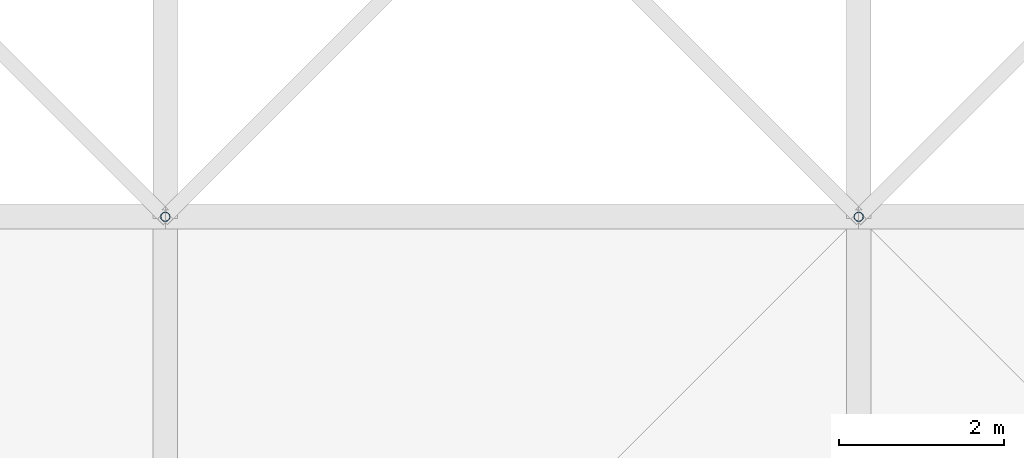
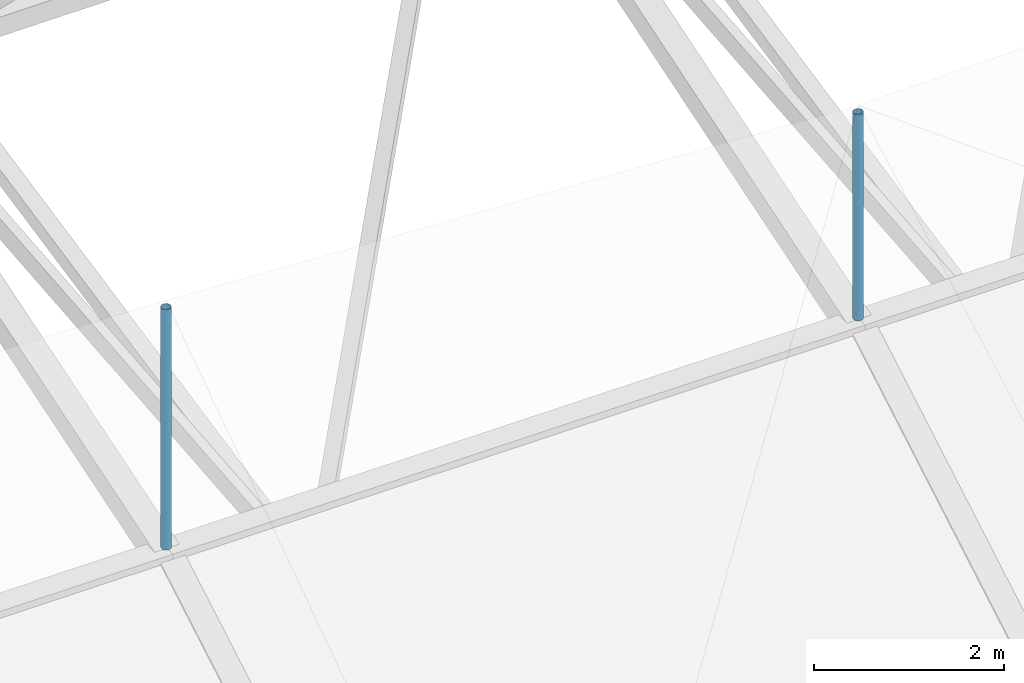
# One storey, part 77 of 111: 2 discrete accessories.
"""IFC4 building model written with IfcOpenShell, lengths in metres."""

from ifc_helpers import new_model, si_unit, direction, frame, origin, origin_2d, place, context, subcontext, project, spatial, hollow_circle, extrude, material, material_profile, profile_set, type_object, element, save


model = new_model("IFC4")

# Units and contexts
model_context = context("Model", 3, precision=1e-05, world=origin(), true_north=direction((0.0, 1.0)))
body_context = subcontext(model_context, "Body", "Model", "MODEL_VIEW")
ifc_project = project(units=[si_unit("LENGTHUNIT", "METRE"), si_unit("AREAUNIT", "SQUARE_METRE"), si_unit("VOLUMEUNIT", "CUBIC_METRE"), si_unit("PLANEANGLEUNIT", "RADIAN"), si_unit("MASSUNIT", "GRAM", prefix="KILO")], contexts=[model_context])

# Site, building, storey
site_placement = place(None, origin())
site = spatial("IfcSite", under=ifc_project, at=site_placement, CompositionType="ELEMENT")
building_placement = place(site_placement, origin())
building = spatial("IfcBuilding", under=site, at=building_placement, Name="Rain Tree Exposition and Congress Centre", CompositionType="ELEMENT")
storey_placement = place(building_placement, frame((0.0, 0.0, 19.5)))
storey = spatial("IfcBuildingStorey", under=building, at=storey_placement, Name="RF", CompositionType="ELEMENT", Elevation=19.5)

# Discrete accessories
ifc_material = material(Name="Steel S355J2H", Category="steel")
ifc_material_profile = material_profile(ifc_material, hollow_circle(Radius=0.05712890625, WallThickness=0.00439453125, at=origin_2d()), Name="CHS 114x4.5")
ifc_profile_set = profile_set([ifc_material_profile], Name="Steel S355J2H")
discrete_accessory_type = type_object("IfcDiscreteAccessoryType", Name="Roof skin post CHS 114x4.5", PredefinedType="BRACKET", material=ifc_profile_set)
discrete_accessory_1_placement = place(storey_placement, frame((159.60009765625, 159.60009765625, 5.39404296875), z_axis=(0.0, 0.0, 1.0), x_axis=(1.0, 0.0, 0.0)))
element("IfcDiscreteAccessory", 1, at=discrete_accessory_1_placement, inside=storey, type_object=discrete_accessory_type, Name="Roof skin post B94", PredefinedType="BRACKET", context=body_context, shape_type="SweptSolid", body=[
    extrude(hollow_circle(Radius=0.05712890625, WallThickness=0.00439453125, at=origin_2d()), origin(), (0.0, 0.0, 1.0), 3.087646484375),
])
discrete_accessory_2_placement = place(storey_placement, frame((168.0, 159.60009765625, 5.39404296875), z_axis=(0.0, 0.0, 1.0), x_axis=(1.0, 0.0, 0.0)))
element("IfcDiscreteAccessory", 2, at=discrete_accessory_2_placement, inside=storey, type_object=discrete_accessory_type, Name="Roof skin post B95", PredefinedType="BRACKET", context=body_context, shape_type="SweptSolid", body=[
    extrude(hollow_circle(Radius=0.05712890625, WallThickness=0.00439453125, at=origin_2d()), origin(), (0.0, 0.0, 1.0), 2.64990234375),
])

save(model, "model.ifc")
